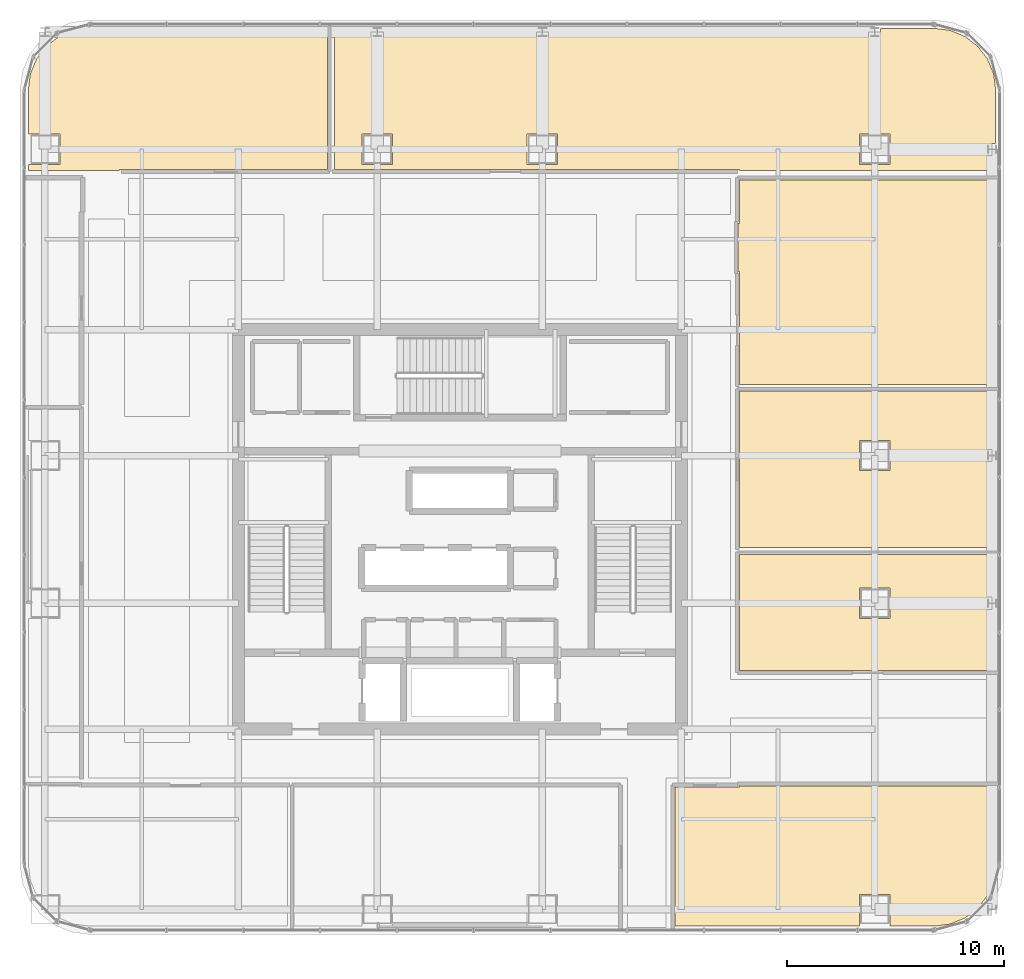
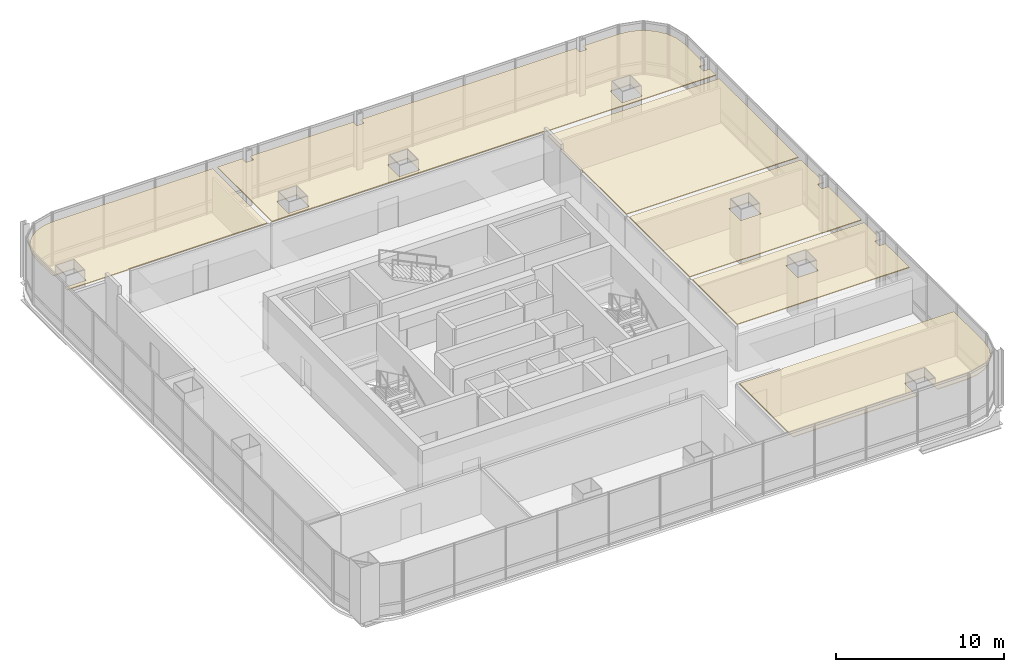
# One storey, part 42 of 42: 6 coverings.
"""IFC4 building model written with IfcOpenShell, lengths in metres."""

import ifcopenshell
import ifcopenshell.guid

model = None  # the IFC model being written
_history = None  # IfcOwnerHistory: only IFC2X3 demands one
_inside = {}  # id of a spatial element -> (the spatial element, [elements in it])
_under = {}  # id of a project, library or spatial element -> (it, [spatial elements below it])
_declared = {}  # id of a project -> (the project, [libraries it declares])
_typed = {}  # id of a type object -> (the type object, [elements of that type])
_made_of = {}  # id of a material, layer set ... -> (it, [elements and type objects made of it])


def new_model(schema):
    """Start an empty IFC model of exactly this schema.

    Asked for "IFC4X3", IfcOpenShell would pick the latest addendum, in which some entities
    have other attributes; the version numbers below select the first issue.
    IFC2X3 requires an IfcOwnerHistory on every rooted entity: one is made here for all.
    """
    global model, _history
    if schema == "IFC4X3":
        model = ifcopenshell.file(schema_version=(4, 3, 0, 0))
    else:
        model = ifcopenshell.file(schema=schema)
    _inside.clear()
    _under.clear()
    _declared.clear()
    _typed.clear()
    _made_of.clear()
    _history = None
    if model.schema == "IFC2X3":
        org = make("IfcOrganization", Name="unknown")
        user = make(
            "IfcPersonAndOrganization",
            ThePerson=make("IfcPerson", FamilyName="unknown"),
            TheOrganization=org,
        )
        app = make(
            "IfcApplication",
            ApplicationDeveloper=org,
            Version="unknown",
            ApplicationFullName="unknown",
            ApplicationIdentifier="unknown",
        )
        _history = make(
            "IfcOwnerHistory",
            OwningUser=user,
            OwningApplication=app,
            ChangeAction="ADDED",
            CreationDate=0,
        )
    return model


def make(cls, **values):
    """One entity of the class cls with the attributes given. An attribute that is None is left unset."""
    return model.create_entity(
        cls, **{name: value for name, value in values.items() if value is not None}
    )


def rooted(cls, **values):
    """An entity with a GlobalId (a new one), such as an element, a storey or a relation."""
    return make(cls, GlobalId=ifcopenshell.guid.new(), OwnerHistory=_history, **values)


def si_unit(unit_type, name, prefix=None):
    """IfcSIUnit, for example si_unit("LENGTHUNIT", "METRE", prefix="MILLI")."""
    return make("IfcSIUnit", UnitType=unit_type, Prefix=prefix, Name=name)


def assignment(units):
    """IfcUnitAssignment: the units of a project."""
    return None if units is None else make("IfcUnitAssignment", Units=units)


def point(xyz):
    """IfcCartesianPoint."""
    return None if xyz is None else make("IfcCartesianPoint", Coordinates=xyz)


def direction(xyz):
    """IfcDirection."""
    return None if xyz is None else make("IfcDirection", DirectionRatios=xyz)


def frame(location, z_axis=None, x_axis=None):
    """IfcAxis2Placement3D, a coordinate frame: its origin and axes. An axis left out is left unset."""
    return make(
        "IfcAxis2Placement3D",
        Location=point(location),
        Axis=direction(z_axis),
        RefDirection=direction(x_axis),
    )


def origin():
    """The frame at (0, 0, 0) with its axes left unset."""
    return frame((0.0, 0.0, 0.0))


def place(relative_to, where):
    """IfcLocalPlacement: puts the frame where relative to a parent placement (None: the world)."""
    return make(
        "IfcLocalPlacement", PlacementRelTo=relative_to, RelativePlacement=where
    )


def context(
    kind, dimensions, precision=None, world=None, true_north=None, identifier=None
):
    """IfcGeometricRepresentationContext, for example the 3D "Model" context."""
    return make(
        "IfcGeometricRepresentationContext",
        ContextIdentifier=identifier,
        ContextType=kind,
        CoordinateSpaceDimension=dimensions,
        Precision=precision,
        WorldCoordinateSystem=world,
        TrueNorth=true_north,
    )


def subcontext(parent, identifier, kind, view, scale=None):
    """IfcGeometricRepresentationSubContext, for example "Body" below "Model"."""
    return make(
        "IfcGeometricRepresentationSubContext",
        ContextIdentifier=identifier,
        ContextType=kind,
        ParentContext=parent,
        TargetScale=scale,
        TargetView=view,
    )


def project(units=None, contexts=None):
    """IfcProject with its units and contexts."""
    return rooted(
        "IfcProject",
        Name="project",
        RepresentationContexts=contexts,
        UnitsInContext=assignment(units),
    )


def spatial(cls, under=None, at=None, **own):
    """A site, building, storey or space (cls), placed at a placement, below another one or the project."""
    s = rooted(cls, ObjectPlacement=at, **own)
    if under is not None:
        _under.setdefault(under.id(), (under, []))[1].append(s)
    return s


def polyline(points):
    """IfcPolyline through the points."""
    return make("IfcPolyline", Points=[point(p) for p in points])


def outline(outer, holes=None, kind="AREA"):
    """IfcArbitraryClosedProfileDef: a profile drawn as a closed curve; with holes, ...WithVoids."""
    if holes is None:
        return make("IfcArbitraryClosedProfileDef", ProfileType=kind, OuterCurve=outer)
    return make(
        "IfcArbitraryProfileDefWithVoids",
        ProfileType=kind,
        OuterCurve=outer,
        InnerCurves=holes,
    )


def extrude(swept, where, along, depth):
    """IfcExtrudedAreaSolid: the profile swept, set in the frame where, extruded along a direction by depth."""
    return make(
        "IfcExtrudedAreaSolid",
        SweptArea=swept,
        Position=where,
        ExtrudedDirection=direction(along),
        Depth=depth,
    )


def shape(context_of_items, identifier, shape_type, items):
    """IfcShapeRepresentation: the items that make up one representation, for example the "Body"."""
    return make(
        "IfcShapeRepresentation",
        ContextOfItems=context_of_items,
        RepresentationIdentifier=identifier,
        RepresentationType=shape_type,
        Items=items,
    )


def material(Name=None, Category=None):
    """IfcMaterial."""
    return make("IfcMaterial", Name=Name, Category=Category)


def layer(
    of_material, thickness, ventilated=None, Name=None, Category=None, Priority=None
):
    """IfcMaterialLayer: one layer of a wall or slab, of a material (None: an air gap)."""
    return make(
        "IfcMaterialLayer",
        Material=of_material,
        LayerThickness=thickness,
        IsVentilated=ventilated,
        Name=Name,
        Category=Category,
        Priority=Priority,
    )


def layer_set(layers, Name=None):
    """IfcMaterialLayerSet."""
    return make("IfcMaterialLayerSet", MaterialLayers=layers, LayerSetName=Name)


def made_of(thing, what):
    """Note that an element or type object is made of a material, layer set ...; save() writes the relation."""
    if what is not None:
        _made_of.setdefault(what.id(), (what, []))[1].append(thing)
    return thing


def type_object(cls, material=None, **own):
    """A type object (cls), such as IfcWallType, which elements share."""
    return made_of(rooted(cls, **own), material)


def element(
    cls,
    number,
    at=None,
    inside=None,
    cuts=None,
    type_object=None,
    material=None,
    context=None,
    identifier="Body",
    shape_type=None,
    held_by="IfcProductDefinitionShape",
    body=None,
    shapes=None,
    **own,
):
    """One element of the class cls, such as IfcWall. Its Tag is "e" and its number.

    at: its placement. inside: the storey or other place that contains it. cuts: it is an
    opening in that element (IfcRelVoidsElement). A single representation is given by context,
    identifier, shape_type and body (its items); several are given by shapes. held_by: the class
    of the entity that holds the representations. save() writes the other relations.
    """
    e = rooted(cls, Tag="e%d" % number, ObjectPlacement=at, **own)
    if body is not None:
        shapes = [shape(context, identifier, shape_type, body)]
    if shapes is not None:
        e.Representation = make(held_by, Representations=shapes)
    if inside is not None:
        _inside.setdefault(inside.id(), (inside, []))[1].append(e)
    if cuts is not None:
        rooted(
            "IfcRelVoidsElement", RelatingBuildingElement=cuts, RelatedOpeningElement=e
        )
    if type_object is not None:
        _typed.setdefault(type_object.id(), (type_object, []))[1].append(e)
    return made_of(e, material)


def aggregate(whole, parts):
    """IfcRelAggregates: a whole, such as a stair, and the parts it consists of."""
    return rooted("IfcRelAggregates", RelatingObject=whole, RelatedObjects=parts)


def save(model, path):
    """Write the relations noted so far, then the file.

    IfcRelAggregates (storeys below a building ...), IfcRelContainedInSpatialStructure (elements
    in a storey), IfcRelDefinesByType, IfcRelAssociatesMaterial and IfcRelDeclares: one each for
    every whole, place, type object, material and project.
    """
    for whole, parts in _under.values():
        aggregate(whole, parts)
    for where, things in _inside.values():
        rooted(
            "IfcRelContainedInSpatialStructure",
            RelatedElements=things,
            RelatingStructure=where,
        )
    for kind, things in _typed.values():
        rooted("IfcRelDefinesByType", RelatedObjects=things, RelatingType=kind)
    for what, things in _made_of.values():
        rooted("IfcRelAssociatesMaterial", RelatedObjects=things, RelatingMaterial=what)
    for by, libraries in _declared.values():
        rooted("IfcRelDeclares", RelatingContext=by, RelatedDefinitions=libraries)
    model.write(path)


model = new_model("IFC4")

# Units and contexts
model_context = context("Model", 3, precision=1e-05, world=origin(), true_north=direction((0.0, 1.0)))
body_context = subcontext(model_context, "Body", "Model", "MODEL_VIEW")
ifc_project = project(units=[si_unit("LENGTHUNIT", "METRE"), si_unit("AREAUNIT", "SQUARE_METRE"), si_unit("VOLUMEUNIT", "CUBIC_METRE"), si_unit("PLANEANGLEUNIT", "RADIAN"), si_unit("MASSUNIT", "GRAM", prefix="KILO")], contexts=[model_context])

# Site, building, storey
site_placement = place(None, origin())
site = spatial("IfcSite", under=ifc_project, at=site_placement, CompositionType="ELEMENT")
building_placement = place(site_placement, origin())
building = spatial("IfcBuilding", under=site, at=building_placement, Name="Punatoya Terracotta Tower", CompositionType="ELEMENT")
storey_placement = place(building_placement, frame((0.0, 0.0, 259.5)))
storey = spatial("IfcBuildingStorey", under=building, at=storey_placement, Name="L61", CompositionType="ELEMENT", Elevation=259.5)

# Coverings
ifc_material = material(Name="Acoustic Mineral Fibre Ceiling")
ifc_layer = layer(ifc_material, 0.06005859375)
ifc_layer_set = layer_set([ifc_layer], Name="Acoustic Mineral Fibre Ceiling")
covering_type = type_object("IfcCoveringType", Name="COV-CEIL-60", PredefinedType="CEILING", material=ifc_layer_set)
covering_1_placement = place(storey_placement, frame((0.0, 0.0, 3.239990234375)))
element("IfcCovering", 1, at=covering_1_placement, inside=storey, type_object=covering_type, Name="L61 Open-Plan Graphic Design Workplace Acoustic Ceiling", PredefinedType="CEILING", context=body_context, shape_type="SweptSolid", body=[
    extrude(outline(polyline([(12.8701171875, -11.8701171875), (9.89990234375, -11.8701171875), (9.89990234375, -18.27001953125), (18.39990234375, -18.27001953125), (18.39990234375, -16.800048828125), (19.800048828125, -16.800048828125), (19.800048828125, -18.27001953125), (21.8251953125, -18.27001953125), (22.5791015625, -18.1708984375), (23.25830078125, -17.889404296875), (23.841796875, -17.441650390625), (24.289306640625, -16.8583984375), (24.57080078125, -16.178955078125), (24.669921875, -15.425048828125), (24.669921875, -11.81005859375), (12.8701171875, -11.81005859375), (12.8701171875, -11.8701171875)])), origin(), (0.0, 0.0, 1.0), 0.06005859375),
])
covering_2_placement = place(storey_placement, frame((0.0, 0.0, 3.239990234375)))
element("IfcCovering", 2, at=covering_2_placement, inside=storey, type_object=covering_type, Name="L61 Open-Plan Press Briefing Room Acoustic Ceiling", PredefinedType="CEILING", context=body_context, shape_type="SweptSolid", body=[
    extrude(outline(polyline([(24.669921875, -3.14208984375), (24.669921875, -1.14599609375), (12.8701171875, -1.14599609375), (12.8701171875, -6.5), (24.669921875, -6.5), (24.669921875, -3.657958984375), (24.2470703125, -3.657958984375), (24.2470703125, -3.14208984375), (24.669921875, -3.14208984375)]), holes=[polyline([(18.39990234375, -4.10009765625), (18.39990234375, -2.699951171875), (19.800048828125, -2.699951171875), (19.800048828125, -4.10009765625), (18.39990234375, -4.10009765625)])]), origin(), (0.0, 0.0, 1.0), 0.06005859375),
])
covering_3_placement = place(storey_placement, frame((0.0, 0.0, 3.239990234375)))
element("IfcCovering", 3, at=covering_3_placement, inside=storey, type_object=covering_type, Name="L61 Open-Plan Acoustic Wellness Room Acoustic Ceiling", PredefinedType="CEILING", context=body_context, shape_type="SweptSolid", body=[
    extrude(outline(polyline([(24.669921875, 3.657958984375), (24.669921875, 6.360107421875), (12.8701171875, 6.360107421875), (12.8701171875, -0.825927734375), (24.669921875, -0.825927734375), (24.669921875, 3.14208984375), (24.2470703125, 3.14208984375), (24.2470703125, 3.657958984375), (24.669921875, 3.657958984375)]), holes=[polyline([(18.39990234375, 4.10009765625), (19.800048828125, 4.10009765625), (19.800048828125, 2.699951171875), (18.39990234375, 2.699951171875), (18.39990234375, 4.10009765625)])]), origin(), (0.0, 0.0, 1.0), 0.06005859375),
])
covering_4_placement = place(storey_placement, frame((0.0, 0.0, 3.239990234375)))
element("IfcCovering", 4, at=covering_4_placement, inside=storey, type_object=covering_type, Name="L61 Editorial Conference Room Acoustic Ceiling", PredefinedType="CEILING", context=body_context, shape_type="SweptSolid", body=[
    extrude(outline(polyline([(12.81005859375, 11.8701171875), (12.8701171875, 11.8701171875), (12.8701171875, 6.679931640625), (24.669921875, 6.679931640625), (24.669921875, 16.090087890625), (12.8701171875, 16.090087890625), (12.8701171875, 14.080078125), (12.81005859375, 14.080078125), (12.81005859375, 11.8701171875)])), origin(), (0.0, 0.0, 1.0), 0.06005859375),
])
covering_5_placement = place(storey_placement, frame((0.0, 0.0, 3.239990234375)))
element("IfcCovering", 5, at=covering_5_placement, inside=storey, type_object=covering_type, Name="L61 Open-Plan Client Briefing Office Acoustic Ceiling", PredefinedType="CEILING", context=body_context, shape_type="SweptSolid", body=[
    extrude(outline(polyline([(-19.8701171875, 16.800048828125), (-19.8701171875, 16.510009765625), (-15.669921875, 16.510009765625), (-15.669921875, 16.570068359375), (-6.093994140625, 16.570068359375), (-6.093994140625, 23.070068359375), (-17.025146484375, 23.070068359375), (-17.779052734375, 22.970703125), (-18.458251953125, 22.689453125), (-19.041748046875, 22.24169921875), (-19.489501953125, 21.658203125), (-19.770751953125, 20.97900390625), (-19.8701171875, 20.22509765625), (-19.8701171875, 18.199951171875), (-18.39990234375, 18.199951171875), (-18.39990234375, 16.800048828125), (-19.8701171875, 16.800048828125)])), origin(), (0.0, 0.0, 1.0), 0.06005859375),
])
covering_6_placement = place(storey_placement, frame((0.0, 0.0, 3.239990234375)))
element("IfcCovering", 6, at=covering_6_placement, inside=storey, type_object=covering_type, Name="L61 Visualization Review Room Acoustic Ceiling", PredefinedType="CEILING", context=body_context, shape_type="SweptSolid", body=[
    extrude(outline(polyline([(4.052978515625, 22.64208984375), (3.547119140625, 22.64208984375), (3.547119140625, 23.070068359375), (-3.547119140625, 23.070068359375), (-3.547119140625, 22.64208984375), (-4.052978515625, 22.64208984375), (-4.052978515625, 23.070068359375), (-5.77392578125, 23.070068359375), (-5.77392578125, 16.570068359375), (12.8701171875, 16.570068359375), (12.8701171875, 16.510009765625), (24.669921875, 16.510009765625), (24.669921875, 17.241943359375), (24.2470703125, 17.241943359375), (24.2470703125, 17.758056640625), (24.669921875, 17.758056640625), (24.669921875, 20.22509765625), (24.57080078125, 20.97900390625), (24.289306640625, 21.658203125), (23.841796875, 22.24169921875), (23.25830078125, 22.689453125), (22.5791015625, 22.970703125), (21.8251953125, 23.070068359375), (19.35302734375, 23.070068359375), (19.35302734375, 22.64208984375), (18.846923828125, 22.64208984375), (18.846923828125, 23.070068359375), (4.052978515625, 23.070068359375), (4.052978515625, 22.64208984375)]), holes=[polyline([(19.800048828125, 18.199951171875), (19.800048828125, 16.800048828125), (18.39990234375, 16.800048828125), (18.39990234375, 18.199951171875), (19.800048828125, 18.199951171875)]), polyline([(4.5, 16.800048828125), (3.10009765625, 16.800048828125), (3.10009765625, 18.199951171875), (4.5, 18.199951171875), (4.5, 16.800048828125)]), polyline([(-4.5, 16.800048828125), (-4.5, 18.199951171875), (-3.10009765625, 18.199951171875), (-3.10009765625, 16.800048828125), (-4.5, 16.800048828125)])]), origin(), (0.0, 0.0, 1.0), 0.06005859375),
])

save(model, "model.ifc")
